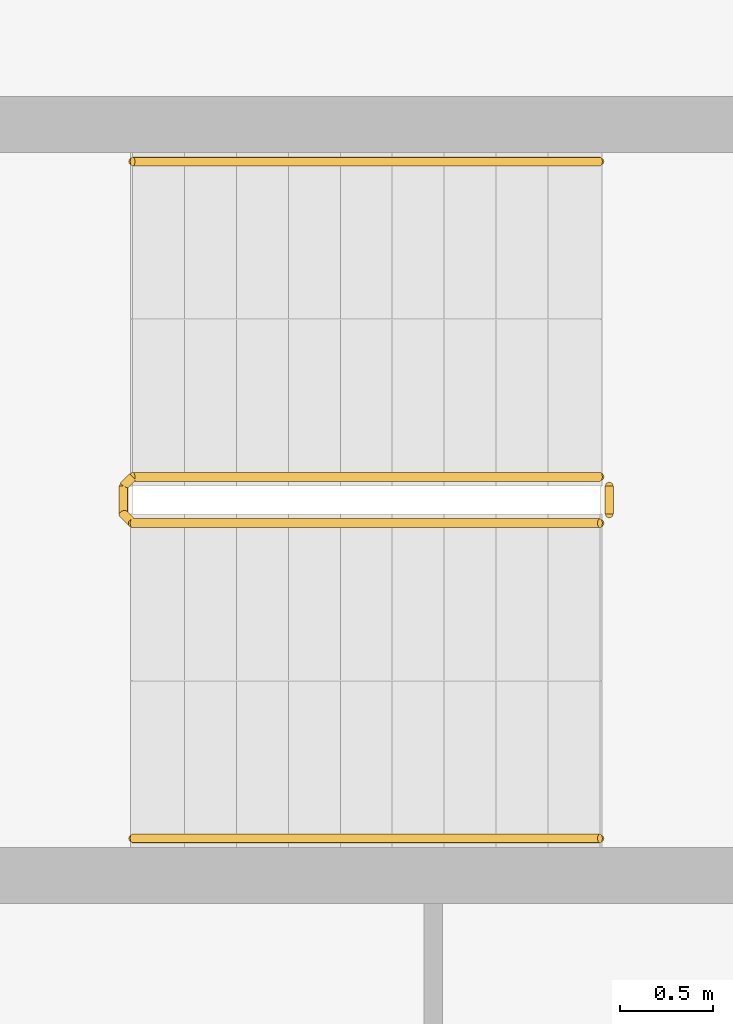
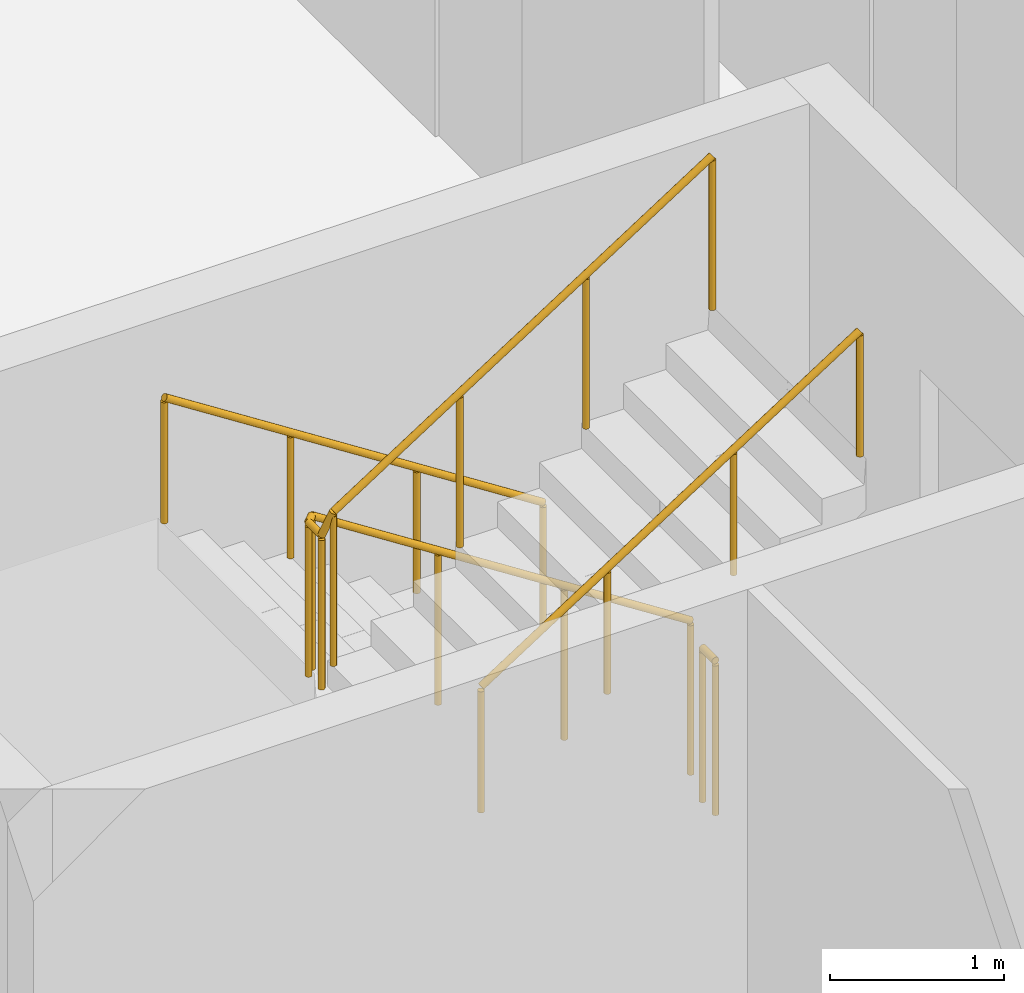
# One storey, part 23 of 26: 4 railings.
"""IFC4 building model written with IfcOpenShell, lengths in metres."""

from ifc_helpers import new_model, si_unit, direction, frame, origin, origin_2d, place, context, subcontext, project, spatial, circle, extrude, material, type_object, element, save


model = new_model("IFC4")

# Units and contexts
model_context = context("Model", 3, precision=1e-05, world=origin(), true_north=direction((0.0, 1.0)))
body_context = subcontext(model_context, "Body", "Model", "MODEL_VIEW")
ifc_project = project(units=[si_unit("LENGTHUNIT", "METRE"), si_unit("AREAUNIT", "SQUARE_METRE"), si_unit("VOLUMEUNIT", "CUBIC_METRE"), si_unit("PLANEANGLEUNIT", "RADIAN"), si_unit("MASSUNIT", "GRAM", prefix="KILO")], contexts=[model_context])

# Site, building, storey
site_placement = place(None, origin())
site = spatial("IfcSite", under=ifc_project, at=site_placement, CompositionType="ELEMENT")
building_placement = place(site_placement, origin())
building = spatial("IfcBuilding", under=site, at=building_placement, Name="Wharfspan Tower", CompositionType="ELEMENT")
storey_placement = place(building_placement, frame((0.0, 0.0, 114.699951)))
storey = spatial("IfcBuildingStorey", under=building, at=storey_placement, Name="L26", CompositionType="ELEMENT", Elevation=114.699951)

# Railings
ifc_material = material(Name="Steel S355J2", Category="steel")
railing_type_1 = type_object("IfcRailingType", Name="Stair guard 1100", PredefinedType="GUARDRAIL", material=ifc_material)
railing_1_placement = place(storey_placement, frame((13.899902, 22.824951, 0.179932)))
element("IfcRailing", 1, at=railing_1_placement, inside=storey, type_object=railing_type_1, Name="L26 ST3 stair guard 1", PredefinedType="GUARDRAIL", context=body_context, shape_type="SweptSolid", body=[
    extrude(circle(Radius=0.023926, at=origin_2d()), frame((0.0, 0.0, 1.076172), z_axis=(-0.841163, 0.0, 0.540782), x_axis=(0.0, -1.0, 0.0)), (0.0, 0.0, 1.0), 2.99585),
    extrude(circle(Radius=0.023926, at=origin_2d()), frame((-2.52002, 0.0, 2.696289), z_axis=(-0.705376, -0.708834, 0.0), x_axis=(0.708834, -0.705376, 0.0)), (0.0, 0.0, 1.0), 0.070557),
    extrude(circle(Radius=0.023926, at=origin_2d()), frame((-2.569824, -0.050049, 2.696289), z_axis=(0.0, -1.0, 0.0), x_axis=(1.0, 0.0, 0.0)), (0.0, 0.0, 1.0), 0.149902),
    extrude(circle(Radius=0.023926, at=origin_2d()), frame((-2.569824, -0.199951, 2.696289), z_axis=(0.257669, -0.258932, 0.930892), x_axis=(0.708833, 0.705372, -1e-06)), (0.0, 0.0, 1.0), 0.193359),
    extrude(circle(Radius=0.023926, at=origin_2d()), frame((-2.52002, -0.25, 2.875977), z_axis=(0.841163, 0.0, 0.540782), x_axis=(0.0, 1.0, 0.0)), (0.0, 0.0, 1.0), 2.99585),
    extrude(circle(Radius=0.020996, at=origin_2d()), origin(), (0.0, 0.0, 1.0), 1.052002),
    extrude(circle(Radius=0.020996, at=origin_2d()), frame((-0.840088, 0.0, 0.540039)), (0.0, 0.0, 1.0), 1.052002),
    extrude(circle(Radius=0.020996, at=origin_2d()), frame((-1.679932, 0.0, 1.080078)), (0.0, 0.0, 1.0), 1.052002),
    extrude(circle(Radius=0.020996, at=origin_2d()), frame((-2.52002, 0.0, 1.620117)), (0.0, 0.0, 1.0), 1.052002),
    extrude(circle(Radius=0.020996, at=origin_2d()), frame((-2.569824, -0.050049, 1.620117)), (0.0, 0.0, 1.0), 1.052002),
    extrude(circle(Radius=0.020996, at=origin_2d()), frame((-2.569824, -0.199951, 1.620117)), (0.0, 0.0, 1.0), 1.052002),
    extrude(circle(Radius=0.020996, at=origin_2d()), frame((-2.52002, -0.25, 1.800049)), (0.0, 0.0, 1.0), 1.052002),
    extrude(circle(Radius=0.020996, at=origin_2d()), frame((-1.679932, -0.25, 2.340088)), (0.0, 0.0, 1.0), 1.052002),
    extrude(circle(Radius=0.020996, at=origin_2d()), frame((-0.840088, -0.25, 2.880127)), (0.0, 0.0, 1.0), 1.052002),
    extrude(circle(Radius=0.020996, at=origin_2d()), frame((0.0, -0.25, 3.420166)), (0.0, 0.0, 1.0), 1.052002),
])
railing_2_placement = place(storey_placement, frame((13.949951, 22.774902, 0.0)))
element("IfcRailing", 2, at=railing_2_placement, inside=storey, type_object=railing_type_1, Name="L26 ST3 stair guard 2", PredefinedType="GUARDRAIL", context=body_context, shape_type="SweptSolid", body=[
    extrude(circle(Radius=0.023926, at=origin_2d()), frame((0.0, 0.0, 1.076172), z_axis=(0.0, -1.0, 0.0), x_axis=(1.0, 0.0, 0.0)), (0.0, 0.0, 1.0), 0.149902),
    extrude(circle(Radius=0.020996, at=origin_2d()), origin(), (0.0, 0.0, 1.0), 1.052002),
    extrude(circle(Radius=0.020996, at=origin_2d()), frame((0.0, -0.149902, 0.0)), (0.0, 0.0, 1.0), 1.052002),
])
railing_type_2 = type_object("IfcRailingType", Name="Stair handrail 900", PredefinedType="HANDRAIL", material=ifc_material)
railing_3_placement = place(storey_placement, frame((13.899902, 24.524902, 0.179932)))
element("IfcRailing", 3, at=railing_3_placement, inside=storey, type_object=railing_type_2, Name="L26 ST3 stair handrail 1", PredefinedType="HANDRAIL", context=body_context, shape_type="SweptSolid", body=[
    extrude(circle(Radius=0.023926, at=origin_2d()), frame((0.0, 0.0, 0.875977), z_axis=(-0.841163, 0.0, 0.540782), x_axis=(0.0, -1.0, 0.0)), (0.0, 0.0, 1.0), 2.99585),
    extrude(circle(Radius=0.020996, at=origin_2d()), origin(), (0.0, 0.0, 1.0), 0.851807),
    extrude(circle(Radius=0.020996, at=origin_2d()), frame((-0.840088, 0.0, 0.540039)), (0.0, 0.0, 1.0), 0.851807),
    extrude(circle(Radius=0.020996, at=origin_2d()), frame((-1.679932, 0.0, 1.080078)), (0.0, 0.0, 1.0), 0.851807),
    extrude(circle(Radius=0.020996, at=origin_2d()), frame((-2.52002, 0.0, 1.620117)), (0.0, 0.0, 1.0), 0.851807),
])
railing_4_placement = place(storey_placement, frame((11.379883, 20.875, 1.97998)))
element("IfcRailing", 4, at=railing_4_placement, inside=storey, type_object=railing_type_2, Name="L26 ST3 stair handrail 2", PredefinedType="HANDRAIL", context=body_context, shape_type="SweptSolid", body=[
    extrude(circle(Radius=0.023926, at=origin_2d()), frame((0.0, 0.0, 0.875977), z_axis=(0.841163, 0.0, 0.540782), x_axis=(0.0, 1.0, 0.0)), (0.0, 0.0, 1.0), 2.99585),
    extrude(circle(Radius=0.020996, at=origin_2d()), origin(), (0.0, 0.0, 1.0), 0.851807),
    extrude(circle(Radius=0.020996, at=origin_2d()), frame((0.840088, 0.0, 0.540039)), (0.0, 0.0, 1.0), 0.851807),
    extrude(circle(Radius=0.020996, at=origin_2d()), frame((1.679932, 0.0, 1.080078)), (0.0, 0.0, 1.0), 0.851807),
    extrude(circle(Radius=0.020996, at=origin_2d()), frame((2.52002, 0.0, 1.620117)), (0.0, 0.0, 1.0), 0.851807),
])

save(model, "model.ifc")
